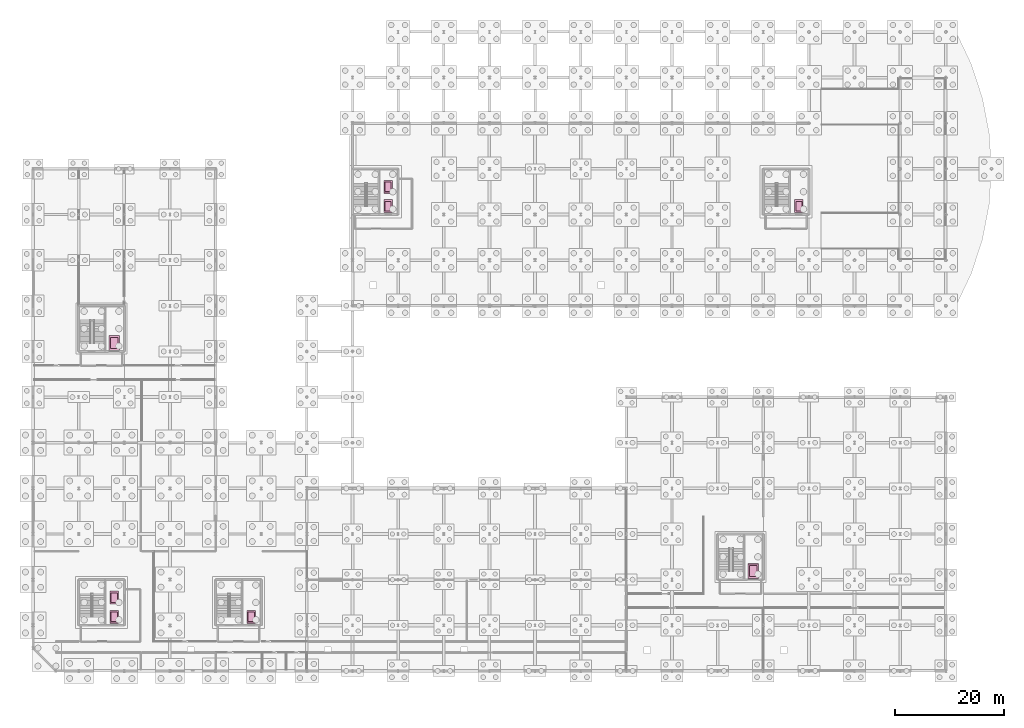
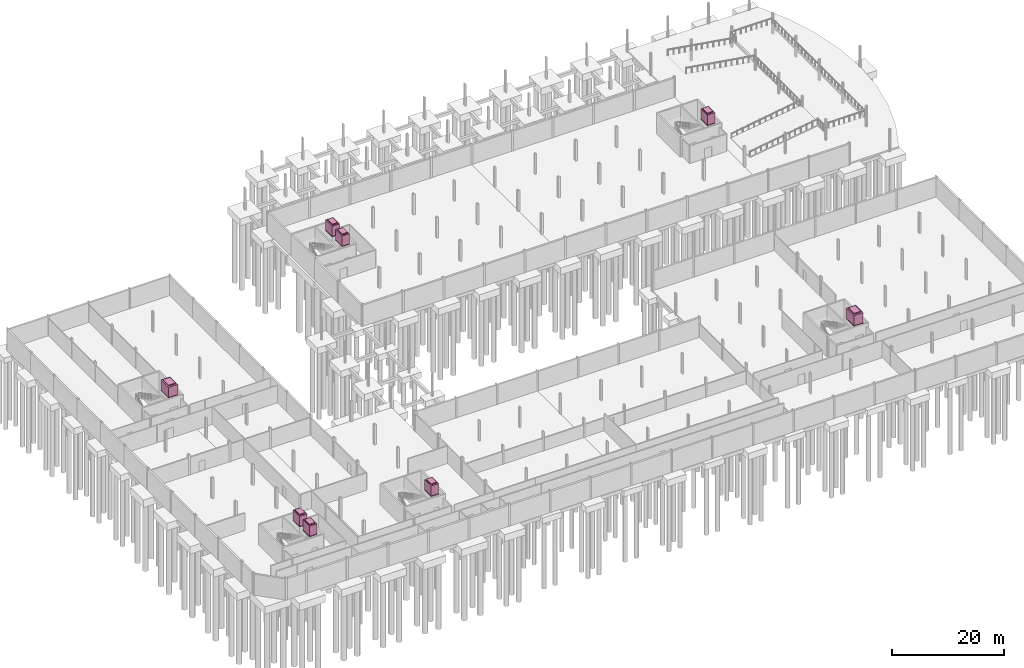
# One storey, part 51 of 51: 8 transport elements.
"""IFC4 building model written with IfcOpenShell, lengths in metres."""

from ifc_helpers import new_model, si_unit, direction, frame, origin, origin_2d, place, context, subcontext, project, spatial, rectangle, extrude, material, type_object, element, save


model = new_model("IFC4")

# Units and contexts
model_context = context("Model", 3, precision=1e-05, world=origin(), true_north=direction((0.0, 1.0)))
body_context = subcontext(model_context, "Body", "Model", "MODEL_VIEW")
ifc_project = project(units=[si_unit("LENGTHUNIT", "METRE"), si_unit("AREAUNIT", "SQUARE_METRE"), si_unit("VOLUMEUNIT", "CUBIC_METRE"), si_unit("PLANEANGLEUNIT", "RADIAN"), si_unit("MASSUNIT", "GRAM", prefix="KILO")], contexts=[model_context])

# Site, building, storey
site_placement = place(None, origin())
site = spatial("IfcSite", under=ifc_project, at=site_placement, CompositionType="ELEMENT")
building_placement = place(site_placement, origin())
building = spatial("IfcBuilding", under=site, at=building_placement, Name="Qalvenar Corner Mobility Hub", CompositionType="ELEMENT")
storey_placement = place(building_placement, frame((0.0, 0.0, -4.5)))
storey = spatial("IfcBuildingStorey", under=building, at=storey_placement, Name="B1", CompositionType="ELEMENT", Elevation=-4.5)

# Transport elements
ifc_material_1 = material(Name="Stainless Steel Firefighting Lift Car", Category="steel")
transport_element_type_1 = type_object("IfcTransportElementType", Name="LFT-FF-16X24", PredefinedType="ELEVATOR", material=ifc_material_1)
for number, where, name in (
    (1, (14.949951171875, 9.949951171875, 4.5), "Elevator LF1"),
    (2, (14.949951171875, 13.5, 4.5), "Elevator LP1"),
    (3, (40.14990234375, 9.949951171875, 4.5), "Elevator LF2"),
    (4, (65.35009765625, 85.550048828125, 4.5), "Elevator LP2"),
    (5, (65.35009765625, 89.10009765625, 4.5), "Elevator LP3"),
    (6, (140.949951171875, 85.550048828125, 4.5), "Elevator LP4"),
):
    element("IfcTransportElement", number, at=place(storey_placement, frame(where)), inside=storey, type_object=transport_element_type_1, Name=name, PredefinedType="ELEVATOR", context=body_context, shape_type="SweptSolid", body=[
        extrude(rectangle(XDim=1.60009765625, YDim=2.39990234375, at=origin_2d()), origin(), (0.0, 0.0, 1.0), 0.139892578125),
        extrude(rectangle(XDim=1.5400390625, YDim=2.33984375, at=origin_2d()), frame((0.0, 0.0, 0.139892578125)), (0.0, 0.0, 1.0), 2.210205078125),
        extrude(rectangle(XDim=1.152099609375, YDim=1.72802734375, at=origin_2d()), frame((0.0, 0.0, 2.35009765625)), (0.0, 0.0, 1.0), 0.199951171875),
    ])
ifc_material_2 = material(Name="Heavy-Duty Cycle and Workshop Goods Lift Car", Category="steel")
transport_element_type_2 = type_object("IfcTransportElementType", Name="LFT-GDS-20X28", PredefinedType="ELEVATOR", material=ifc_material_2)
for number, where, name in (
    (7, (14.949951171875, 60.35009765625, 4.5), "Elevator LG1"),
    (8, (132.550048828125, 18.35009765625, 4.5), "Elevator LG2"),
):
    element("IfcTransportElement", number, at=place(storey_placement, frame(where)), inside=storey, type_object=transport_element_type_2, Name=name, PredefinedType="ELEVATOR", context=body_context, shape_type="SweptSolid", body=[
        extrude(rectangle(XDim=2.0, YDim=2.800048828125, at=origin_2d()), origin(), (0.0, 0.0, 1.0), 0.139892578125),
        extrude(rectangle(XDim=1.93994140625, YDim=2.739990234375, at=origin_2d()), frame((0.0, 0.0, 0.139892578125)), (0.0, 0.0, 1.0), 2.210205078125),
        extrude(rectangle(XDim=1.43994140625, YDim=2.01611328125, at=origin_2d()), frame((0.0, 0.0, 2.35009765625)), (0.0, 0.0, 1.0), 0.199951171875),
    ])

save(model, "model.ifc")
